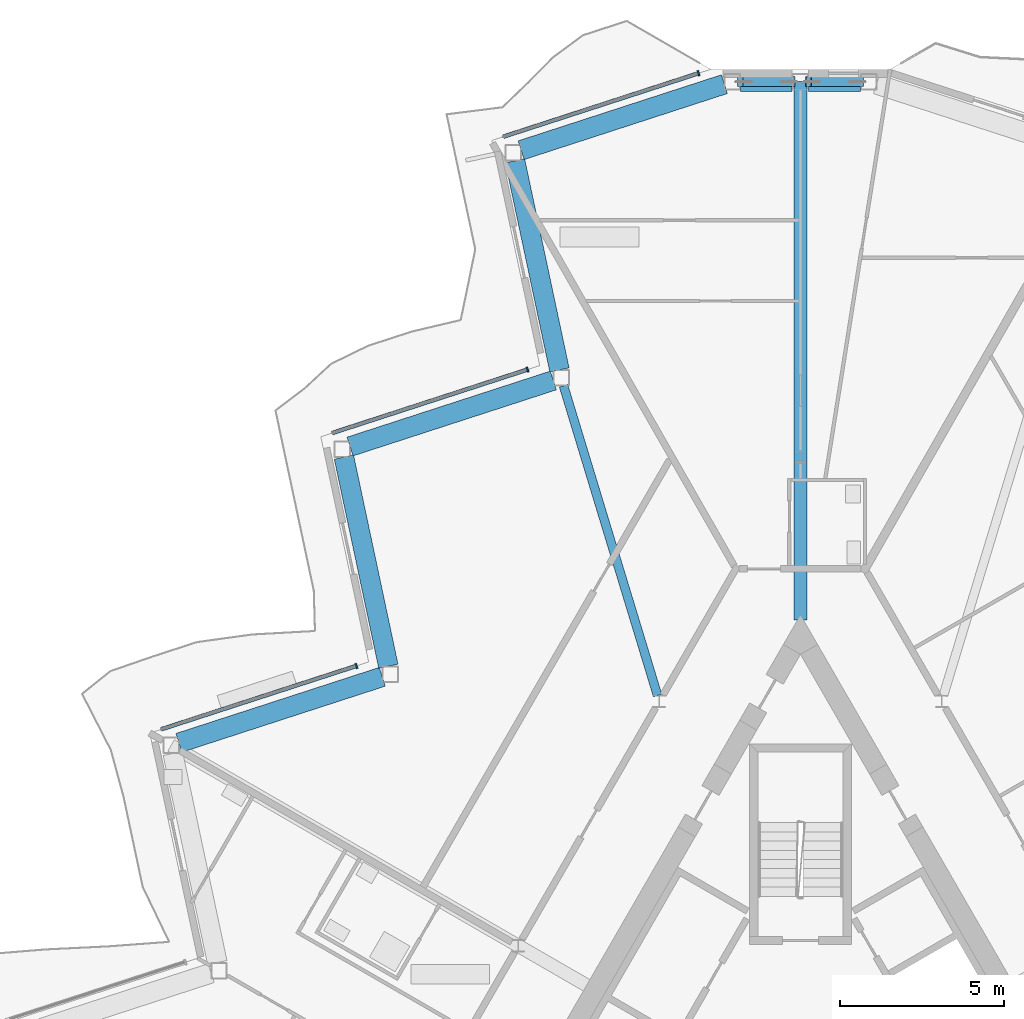
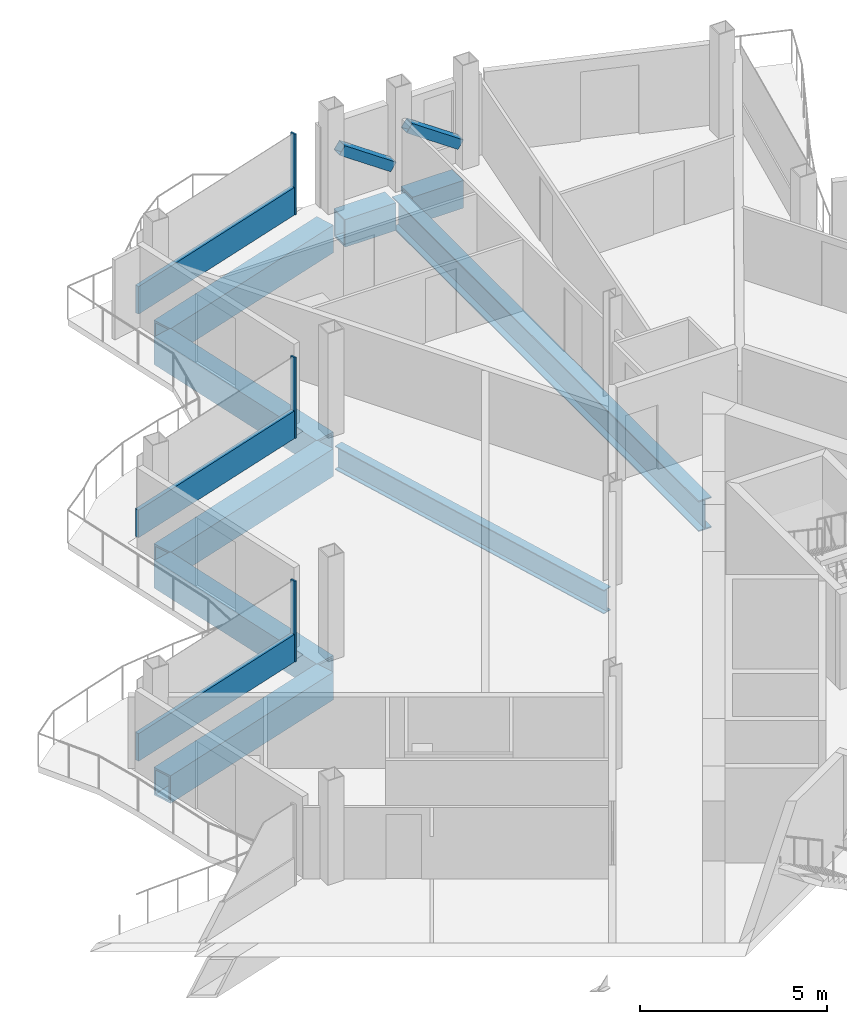
# One storey, part 10 of 27: 9 members, 8 beams, 3 elements without a shape of their own.
"""IFC4 building model written with IfcOpenShell, lengths in metres."""

from ifc_helpers import new_model, si_unit, direction, frame, origin, origin_2d, place, context, subcontext, project, spatial, rectangle, hollow_rectangle, i_section, extrude, material, layer, layer_set, material_profile, profile_set, type_object, element, aggregate, save


model = new_model("IFC4")

# Units and contexts
model_context = context("Model", 3, precision=1e-05, world=origin(), true_north=direction((0.0, 1.0)))
body_context = subcontext(model_context, "Body", "Model", "MODEL_VIEW")
ifc_project = project(units=[si_unit("LENGTHUNIT", "METRE"), si_unit("AREAUNIT", "SQUARE_METRE"), si_unit("VOLUMEUNIT", "CUBIC_METRE"), si_unit("PLANEANGLEUNIT", "RADIAN"), si_unit("MASSUNIT", "GRAM", prefix="KILO")], contexts=[model_context])

# Site, building, storey
site_placement = place(None, origin())
site = spatial("IfcSite", under=ifc_project, at=site_placement, CompositionType="ELEMENT")
building_placement = place(site_placement, origin())
building = spatial("IfcBuilding", under=site, at=building_placement, Name="Cormorant Prow Tower", CompositionType="ELEMENT")
storey_placement = place(building_placement, frame((0.0, 0.0, 361.0)))
storey = spatial("IfcBuildingStorey", under=building, at=storey_placement, Name="L80", CompositionType="ELEMENT", Elevation=361.0)

# Beams
ifc_material_1 = material(Name="Structural steel ASTM A572 Gr 50", Category="steel")
ifc_material_profile_1 = material_profile(ifc_material_1, hollow_rectangle(XDim=0.60009765625, YDim=0.89990234375, WallThickness=0.06005859375, at=origin_2d()), Name="Box 900x600x60")
ifc_profile_set_1 = profile_set([ifc_material_profile_1], Name="Structural steel ASTM A572 Gr 50")
beam_type_1 = type_object("IfcBeamType", Name="Belt truss top chord 900x600x60", PredefinedType="BEAM", material=ifc_profile_set_1)
for number, where, z_axis, x_axis, name in (
    (1, (1.82373046875, 31.219482421875, -0.75), (-1.0, 0.0, 0.0), (0.0, -1.0, 0.0), "Belt truss top chord TC2 N00-N01 L80"),
    (2, (-0.25, 31.219482421875, -0.75), (-1.0, 0.0, 0.0), (0.0, -1.0, 0.0), "Belt truss top chord TC2 N01-WNW00 L80"),
):
    element("IfcBeam", number, at=place(storey_placement, frame(where, z_axis=z_axis, x_axis=x_axis)), inside=storey, type_object=beam_type_1, Name=name, PredefinedType="BEAM", context=body_context, shape_type="SweptSolid", body=[
        extrude(hollow_rectangle(XDim=0.60009765625, YDim=0.89990234375, WallThickness=0.06005859375, at=origin_2d()), origin(), (0.0, 0.0, 1.0), 1.57373046875),
    ])
for number, where, z_axis, x_axis, name in (
    (3, (-2.3115234375, 31.142333984375, -0.75), (-0.951056984862, -0.30901555227, 0.0), (0.30901555227, -0.951056984862, 0.0), "Belt truss top chord TC2 WNW00-WNW01 L80"),
    (4, (-8.6767578125, 28.812744140625, -0.75), (0.20793784774, -0.978142040543, 0.0), (0.978142040543, 0.20793784774, 0.0), "Belt truss top chord TC2 WNW01-WNW02 L80"),
):
    element("IfcBeam", number, at=place(storey_placement, frame(where, z_axis=z_axis, x_axis=x_axis)), inside=storey, type_object=beam_type_1, Name=name, PredefinedType="BEAM", context=body_context, shape_type="SweptSolid", body=[
        extrude(hollow_rectangle(XDim=0.60009765625, YDim=0.89990234375, WallThickness=0.06005859375, at=origin_2d()), origin(), (0.0, 0.0, 1.0), 6.49755859375),
    ])
beam_1_placement = place(storey_placement, frame((-7.511474609375, 22.135498046875, -0.75), z_axis=(-0.951068027308, -0.308981564875, 0.0), x_axis=(0.308981564875, -0.951068027308, 0.0)))
element("IfcBeam", 5, at=beam_1_placement, inside=storey, type_object=beam_type_1, Name="Belt truss top chord TC2 WNW02-WNW03 L80", PredefinedType="BEAM", context=body_context, shape_type="SweptSolid", body=[
    extrude(hollow_rectangle(XDim=0.60009765625, YDim=0.89990234375, WallThickness=0.06005859375, at=origin_2d()), origin(), (0.0, 0.0, 1.0), 6.497314453125),
])
beam_2_placement = place(storey_placement, frame((-13.876708984375, 19.80615234375, -0.75), z_axis=(0.207901897373, -0.978149682344, 0.0), x_axis=(0.978149682344, 0.207901897373, 0.0)))
element("IfcBeam", 6, at=beam_2_placement, inside=storey, type_object=beam_type_1, Name="Belt truss top chord TC2 WNW03-WNW04 L80", PredefinedType="BEAM", context=body_context, shape_type="SweptSolid", body=[
    extrude(hollow_rectangle(XDim=0.60009765625, YDim=0.89990234375, WallThickness=0.06005859375, at=origin_2d()), origin(), (0.0, 0.0, 1.0), 6.49755859375),
])
beam_3_placement = place(storey_placement, frame((-12.711669921875, 13.12890625, -0.75), z_axis=(-0.951053396625, -0.309026595569, 0.0), x_axis=(0.309026595569, -0.951053396625, 0.0)))
element("IfcBeam", 7, at=beam_3_placement, inside=storey, type_object=beam_type_1, Name="Belt truss top chord TC2 WNW04-WNW05 L80", PredefinedType="BEAM", context=body_context, shape_type="SweptSolid", body=[
    extrude(hollow_rectangle(XDim=0.60009765625, YDim=0.89990234375, WallThickness=0.06005859375, at=origin_2d()), origin(), (0.0, 0.0, 1.0), 6.497314453125),
])

# Members
ifc_material_2 = material(Name="Structural steel ASTM A500 Gr C", Category="steel")
ifc_material_profile_2 = material_profile(ifc_material_2, hollow_rectangle(XDim=0.3046875, YDim=0.3046875, WallThickness=0.01171875, at=origin_2d()), Name="HSS12x12x1/2")
ifc_profile_set_2 = profile_set([ifc_material_profile_2], Name="Structural steel ASTM A500 Gr C")
member_type_1 = type_object("IfcMemberType", Name="Chamfer brace HSS12x12x1/2", PredefinedType="BRACE", material=ifc_profile_set_2)
for number, where, z_axis, x_axis, name in (
    (8, (1.8271484375, 31.219482421875, 0.7705078125), (-0.82250770082, 0.0, 0.568753973254), (0.0, -1.0, 0.0), "Chamfer brace BR3 at N00 L80"),
    (9, (-0.246826171875, 31.219482421875, 0.7705078125), (-0.82250770082, 0.0, 0.568753973254), (0.0, -1.0, 0.0), "Chamfer brace BR3 at N01 L80"),
):
    element("IfcMember", number, at=place(storey_placement, frame(where, z_axis=z_axis, x_axis=x_axis)), inside=storey, type_object=member_type_1, Name=name, PredefinedType="BRACE", context=body_context, shape_type="SweptSolid", body=[
        extrude(hollow_rectangle(XDim=0.3046875, YDim=0.3046875, WallThickness=0.01171875, at=origin_2d()), origin(), (0.0, 0.0, 1.0), 1.92138671875),
    ])
ifc_material_3 = material(Name="Structural steel ASTM A992 Gr 50", Category="steel")
ifc_material_profile_3 = material_profile(ifc_material_3, i_section(OverallWidth=0.39990234375, OverallDepth=1.000244140625, WebThickness=0.01904296875, FlangeThickness=0.0361328125, at=origin_2d()), Name="W40x249")
ifc_profile_set_3 = profile_set([ifc_material_profile_3], Name="Structural steel ASTM A992 Gr 50")
member_type_2 = type_object("IfcMemberType", Name="Outrigger chord W40x249", PredefinedType="CHORD", material=ifc_profile_set_3)
member_1_placement = place(storey_placement, frame((0.0, 14.861083984375, -0.800048828125), z_axis=(0.0, 1.0, 0.0), x_axis=(-1.0, 0.0, 0.0)))
element("IfcMember", 10, at=member_1_placement, inside=storey, type_object=member_type_2, Name="Outrigger top chord 1 L80", PredefinedType="CHORD", context=body_context, shape_type="SweptSolid", body=[
    extrude(i_section(OverallWidth=0.39990234375, OverallDepth=1.000244140625, WebThickness=0.01904296875, FlangeThickness=0.0361328125, at=origin_2d()), origin(), (0.0, 0.0, 1.0), 16.3583984375),
])

# Beam
ifc_material_4 = material(Name="Structural steel ASTM A992 Gr 50", Category="steel")
ifc_material_profile_4 = material_profile(ifc_material_4, i_section(OverallWidth=0.267822265625, OverallDepth=0.77001953125, WebThickness=0.015625, FlangeThickness=0.025390625, at=origin_2d()), Name="W30x132")
ifc_profile_set_4 = profile_set([ifc_material_profile_4], Name="Structural steel ASTM A992 Gr 50")
beam_type_2 = type_object("IfcBeamType", Name="Radial floor beam W30x132", PredefinedType="BEAM", material=ifc_profile_set_4)
beam_4_placement = place(storey_placement, frame((-4.343505859375, 12.560791015625, -0.68505859375), z_axis=(-0.290499864147, 0.956875033079, 0.0), x_axis=(-0.956875033079, -0.290499864147, 0.0)))
element("IfcBeam", 11, at=beam_4_placement, inside=storey, type_object=beam_type_2, Name="Radial floor beam FB3 2 L80", PredefinedType="BEAM", context=body_context, shape_type="SweptSolid", body=[
    extrude(i_section(OverallWidth=0.267822265625, OverallDepth=0.77001953125, WebThickness=0.015625, FlangeThickness=0.025390625, at=origin_2d()), origin(), (0.0, 0.0, 1.0), 9.837158203125),
])

# Curtain wall, member
ifc_material_5 = material(Name="Aluminium 6063-T6", Category="aluminium")
ifc_layer = layer(ifc_material_5, 0.159912109375)
ifc_layer_set = layer_set([ifc_layer], Name="Aluminium 6063-T6")
curtain_wall_type = type_object("IfcCurtainWallType", Name="Residential unitised curtain wall 160", PredefinedType="NOTDEFINED", material=ifc_layer_set)
curtain_wall_1_placement = place(storey_placement, origin())
curtain_wall_1 = element("IfcCurtainWall", 12, at=curtain_wall_1_placement, inside=storey, type_object=curtain_wall_type, Name="Residential curtain wall WNW00", PredefinedType="NOTDEFINED")
ifc_material_6 = material(Name="Aluminium 6063-T6", Category="aluminium")
ifc_material_profile_5 = material_profile(ifc_material_6, rectangle(XDim=0.159912109375, YDim=0.050048828125, at=origin_2d()), Name="Residential mullion 50x160")
ifc_profile_set_5 = profile_set([ifc_material_profile_5], Name="Aluminium 6063-T6")
member_type_3 = type_object("IfcMemberType", Name="Residential mullion 50x160", PredefinedType="MULLION", material=ifc_profile_set_5)
member_2_placement = place(storey_placement, frame((-3.0966796875, 31.474609375, 0.0), z_axis=(0.0, 0.0, 1.0), x_axis=(0.309016895096, -0.951056548553, 0.0)))
member_2 = element("IfcMember", 13, at=member_2_placement, type_object=member_type_3, Name="Residential mullion WNW00", PredefinedType="MULLION", context=body_context, shape_type="SweptSolid", body=[
    extrude(rectangle(XDim=0.159912109375, YDim=0.050048828125, at=origin_2d()), origin(), (0.0, 0.0, 1.0), 2.6337890625),
])

curtain_wall_2_placement = place(storey_placement, origin())
curtain_wall_2 = element("IfcCurtainWall", 14, at=curtain_wall_2_placement, inside=storey, type_object=curtain_wall_type, Name="Residential curtain wall WNW02", PredefinedType="NOTDEFINED")
member_3_placement = place(storey_placement, frame((-8.296630859375, 22.4677734375, 0.0), z_axis=(0.0, 0.0, 1.0), x_axis=(0.309017024369, -0.951056506549, 0.0)))
member_3 = element("IfcMember", 15, at=member_3_placement, type_object=member_type_3, Name="Residential mullion WNW02", PredefinedType="MULLION", context=body_context, shape_type="SweptSolid", body=[
    extrude(rectangle(XDim=0.159912109375, YDim=0.050048828125, at=origin_2d()), origin(), (0.0, 0.0, 1.0), 2.6337890625),
])

curtain_wall_3_placement = place(storey_placement, origin())
curtain_wall_3 = element("IfcCurtainWall", 16, at=curtain_wall_3_placement, inside=storey, type_object=curtain_wall_type, Name="Residential curtain wall WNW04", PredefinedType="NOTDEFINED")
member_4_placement = place(storey_placement, frame((-13.49658203125, 13.461181640625, 0.0), z_axis=(0.0, 0.0, 1.0), x_axis=(0.309016895096, -0.951056548553, 0.0)))
member_4 = element("IfcMember", 17, at=member_4_placement, type_object=member_type_3, Name="Residential mullion WNW04", PredefinedType="MULLION", context=body_context, shape_type="SweptSolid", body=[
    extrude(rectangle(XDim=0.159912109375, YDim=0.050048828125, at=origin_2d()), origin(), (0.0, 0.0, 1.0), 2.6337890625),
])

# Member
ifc_material_7 = material(Name="Terracotta", Category="masonry")
ifc_material_profile_6 = material_profile(ifc_material_7, rectangle(XDim=0.1201171875, YDim=0.89990234375, at=origin_2d()), Name="Residential terracotta spandrel rail 120x900")
ifc_profile_set_6 = profile_set([ifc_material_profile_6], Name="Terracotta")
member_type_4 = type_object("IfcMemberType", Name="Residential terracotta spandrel rail 120x900", PredefinedType="USERDEFINED", material=ifc_profile_set_6)
member_5_placement = place(storey_placement, frame((-3.120361328125, 31.466796875, 0.449951171875), z_axis=(-0.951056004715, -0.309018568854, 0.0), x_axis=(0.309018568854, -0.951056004715, 0.0)))
member_5 = element("IfcMember", 18, at=member_5_placement, type_object=member_type_4, Name="Residential spandrel rail WNW00", ObjectType="TRANSOM", PredefinedType="USERDEFINED", context=body_context, shape_type="SweptSolid", body=[
    extrude(rectangle(XDim=0.1201171875, YDim=0.89990234375, at=origin_2d()), origin(), (0.0, 0.0, 1.0), 6.21533203125),
])

aggregate(curtain_wall_1, [member_2, member_5])

member_6_placement = place(storey_placement, frame((-8.3203125, 22.460205078125, 0.449951171875), z_axis=(-0.951056004715, -0.309018568854, 0.0), x_axis=(0.309018568854, -0.951056004715, 0.0)))
member_6 = element("IfcMember", 19, at=member_6_placement, type_object=member_type_4, Name="Residential spandrel rail WNW02", ObjectType="TRANSOM", PredefinedType="USERDEFINED", context=body_context, shape_type="SweptSolid", body=[
    extrude(rectangle(XDim=0.1201171875, YDim=0.89990234375, at=origin_2d()), origin(), (0.0, 0.0, 1.0), 6.21533203125),
])

aggregate(curtain_wall_2, [member_3, member_6])

member_7_placement = place(storey_placement, frame((-13.520263671875, 13.453369140625, 0.449951171875), z_axis=(-0.951056004715, -0.309018568854, 0.0), x_axis=(0.309018568854, -0.951056004715, 0.0)))
member_7 = element("IfcMember", 20, at=member_7_placement, type_object=member_type_4, Name="Residential spandrel rail WNW04", ObjectType="TRANSOM", PredefinedType="USERDEFINED", context=body_context, shape_type="SweptSolid", body=[
    extrude(rectangle(XDim=0.1201171875, YDim=0.89990234375, at=origin_2d()), origin(), (0.0, 0.0, 1.0), 6.21533203125),
])

aggregate(curtain_wall_3, [member_4, member_7])

save(model, "model.ifc")
